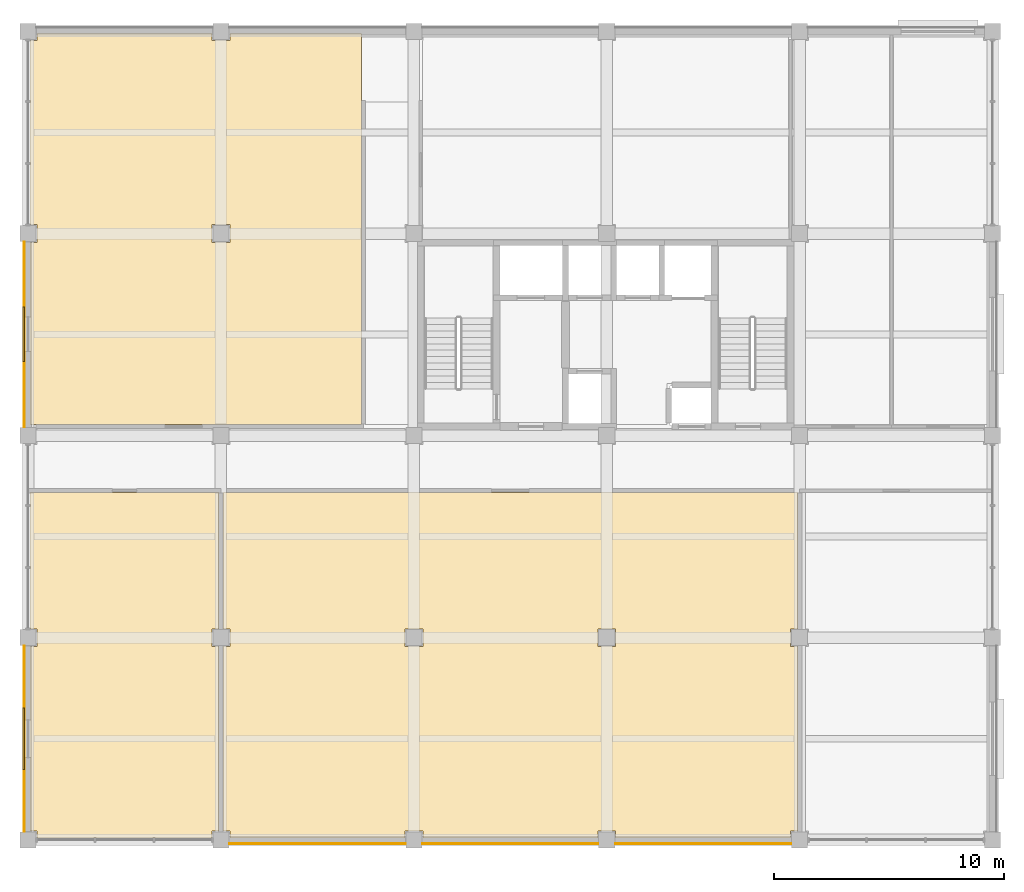
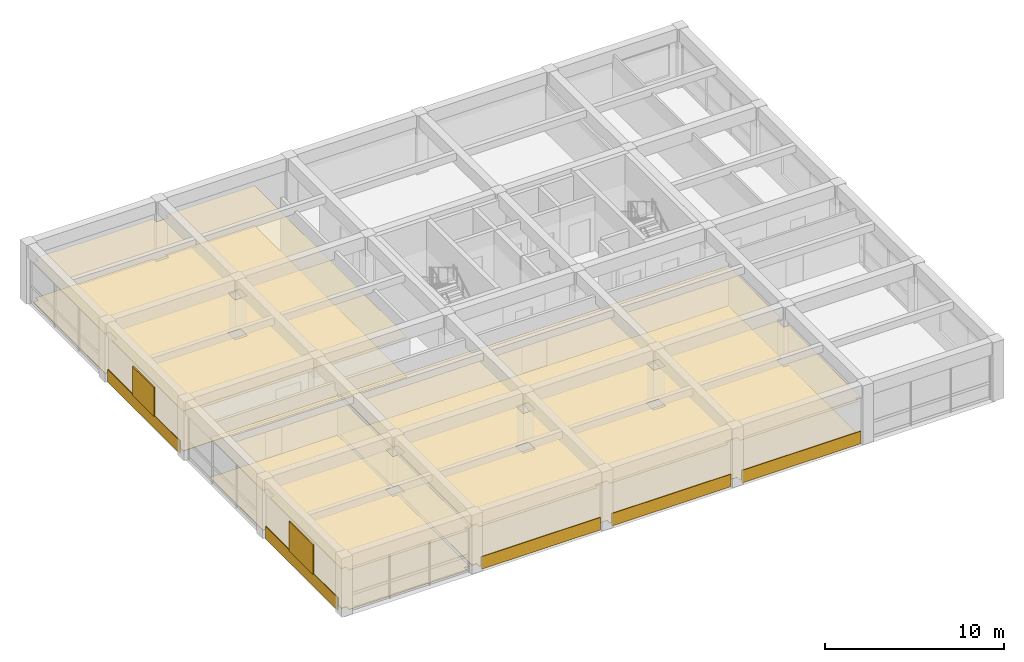
# One storey, part 10 of 14: 11 coverings, 2 shading devices.
"""IFC4 building model written with IfcOpenShell, lengths in metres."""

from ifc_helpers import new_model, si_unit, direction, frame, origin, origin_2d, place, context, subcontext, project, spatial, polyline, rectangle, outline, extrude, material, layer, layer_set, type_object, element, save


model = new_model("IFC4")

# Units and contexts
model_context = context("Model", 3, precision=1e-05, world=origin(), true_north=direction((0.0, 1.0)))
body_context = subcontext(model_context, "Body", "Model", "MODEL_VIEW")
ifc_project = project(units=[si_unit("LENGTHUNIT", "METRE"), si_unit("AREAUNIT", "SQUARE_METRE"), si_unit("VOLUMEUNIT", "CUBIC_METRE"), si_unit("PLANEANGLEUNIT", "RADIAN"), si_unit("MASSUNIT", "GRAM", prefix="KILO")], contexts=[model_context])

# Site, building, storey
site_placement = place(None, origin())
site = spatial("IfcSite", under=ifc_project, at=site_placement, CompositionType="ELEMENT")
building_placement = place(site_placement, origin())
building = spatial("IfcBuilding", under=site, at=building_placement, Name="Kemercrest Conservatory and Botanical Centre", CompositionType="ELEMENT")
storey_placement = place(building_placement, frame((0.0, 0.0, 28.800048828125)))
storey = spatial("IfcBuildingStorey", under=building, at=storey_placement, Name="L07", CompositionType="ELEMENT", Elevation=28.800048828125)

# Coverings
ifc_material_1 = material(Name="Honed limestone almasik ashlar rainscreen", Category="masonry")
ifc_layer_1 = layer(ifc_material_1, 0.0400390625)
ifc_layer_set_1 = layer_set([ifc_layer_1], Name="Honed limestone almasik ashlar rainscreen")
covering_type_1 = type_object("IfcCoveringType", Name="CV-CLD040", PredefinedType="CLADDING", material=ifc_layer_set_1)
covering_1_placement = place(storey_placement, origin())
element("IfcCovering", 1, at=covering_1_placement, inside=storey, type_object=covering_type_1, Name="Exterior stone spandrel cladding (WAL:L07:EXT-262)", PredefinedType="CLADDING", context=body_context, shape_type="SweptSolid", body=[
    extrude(outline(polyline([(142.760009765625, 87.050048828125), (142.760009765625, 87.010009765625), (150.43994140625, 87.010009765625), (150.43994140625, 87.050048828125), (142.760009765625, 87.050048828125)])), origin(), (0.0, 0.0, 1.0), 0.849853515625),
])
covering_2_placement = place(storey_placement, origin())
element("IfcCovering", 2, at=covering_2_placement, inside=storey, type_object=covering_type_1, Name="Exterior stone spandrel cladding (WAL:L07:EXT-263)", PredefinedType="CLADDING", context=body_context, shape_type="SweptSolid", body=[
    extrude(outline(polyline([(151.159912109375, 87.050048828125), (151.159912109375, 87.010009765625), (158.840087890625, 87.010009765625), (158.840087890625, 87.050048828125), (151.159912109375, 87.050048828125)])), origin(), (0.0, 0.0, 1.0), 0.849853515625),
])
covering_3_placement = place(storey_placement, origin())
element("IfcCovering", 3, at=covering_3_placement, inside=storey, type_object=covering_type_1, Name="Exterior stone spandrel cladding (WAL:L07:EXT-264)", PredefinedType="CLADDING", context=body_context, shape_type="SweptSolid", body=[
    extrude(outline(polyline([(159.56005859375, 87.050048828125), (159.56005859375, 87.010009765625), (167.239990234375, 87.010009765625), (167.239990234375, 87.050048828125), (159.56005859375, 87.050048828125)])), origin(), (0.0, 0.0, 1.0), 0.849853515625),
])
covering_4_placement = place(storey_placement, origin())
element("IfcCovering", 4, at=covering_4_placement, inside=storey, type_object=covering_type_1, Name="Exterior stone spandrel cladding (WAL:L07:EXT-272)", PredefinedType="CLADDING", context=body_context, shape_type="SweptSolid", body=[
    extrude(outline(polyline([(133.85009765625, 113.239990234375), (133.81005859375, 113.239990234375), (133.81005859375, 105.159912109375), (133.85009765625, 105.159912109375), (133.85009765625, 113.239990234375)])), origin(), (0.0, 0.0, 1.0), 0.849853515625),
])
covering_5_placement = place(storey_placement, origin())
element("IfcCovering", 5, at=covering_5_placement, inside=storey, type_object=covering_type_1, Name="Exterior stone spandrel cladding (WAL:L07:EXT-273)", PredefinedType="CLADDING", context=body_context, shape_type="SweptSolid", body=[
    extrude(outline(polyline([(133.85009765625, 95.639892578125), (133.81005859375, 95.639892578125), (133.81005859375, 87.56005859375), (133.85009765625, 87.56005859375), (133.85009765625, 95.639892578125)])), origin(), (0.0, 0.0, 1.0), 0.849853515625),
])
ifc_material_2 = material(Name="Perforated acoustic gypsum and mineral-fibre suspended ceiling", Category="gypsum")
ifc_layer_2 = layer(ifc_material_2, 0.034912109375)
ifc_layer_set_2 = layer_set([ifc_layer_2], Name="Perforated acoustic gypsum and mineral-fibre suspended ceiling")
covering_type_2 = type_object("IfcCoveringType", Name="CV-CLG035", PredefinedType="CEILING", material=ifc_layer_set_2)
covering_6_placement = place(storey_placement, frame((0.0, 0.0, 2.699951171875)))
element("IfcCovering", 6, at=covering_6_placement, inside=storey, type_object=covering_type_2, Name="Herbarium Compact Shelving Vault suspended acoustic ceiling", PredefinedType="CEILING", context=body_context, shape_type="SweptSolid", body=[
    extrude(outline(polyline([(158.81005859375, 87.590087890625), (159.590087890625, 87.590087890625), (159.590087890625, 87.280029296875), (167.2099609375, 87.280029296875), (167.2099609375, 87.590087890625), (167.52001953125, 87.590087890625), (167.52001953125, 95.610107421875), (167.2099609375, 95.610107421875), (167.2099609375, 96.389892578125), (167.52001953125, 96.389892578125), (167.52001953125, 102.320068359375), (142.47998046875, 102.320068359375), (142.47998046875, 96.389892578125), (142.7900390625, 96.389892578125), (142.7900390625, 95.610107421875), (142.47998046875, 95.610107421875), (142.47998046875, 87.590087890625), (142.7900390625, 87.590087890625), (142.7900390625, 87.280029296875), (150.409912109375, 87.280029296875), (150.409912109375, 87.590087890625), (151.18994140625, 87.590087890625), (151.18994140625, 87.280029296875), (158.81005859375, 87.280029296875), (158.81005859375, 87.590087890625)]), holes=[polyline([(158.81005859375, 96.389892578125), (159.590087890625, 96.389892578125), (159.590087890625, 95.610107421875), (158.81005859375, 95.610107421875), (158.81005859375, 96.389892578125)]), polyline([(150.409912109375, 96.389892578125), (151.18994140625, 96.389892578125), (151.18994140625, 95.610107421875), (150.409912109375, 95.610107421875), (150.409912109375, 96.389892578125)])]), origin(), (0.0, 0.0, 1.0), 0.034912109375),
])
covering_7_placement = place(storey_placement, frame((0.0, 0.0, 2.699951171875)))
element("IfcCovering", 7, at=covering_7_placement, inside=storey, type_object=covering_type_2, Name="Herbarium Digitization Laboratory suspended acoustic ceiling", PredefinedType="CEILING", context=body_context, shape_type="SweptSolid", body=[
    extrude(outline(polyline([(134.389892578125, 87.280029296875), (142.010009765625, 87.280029296875), (142.010009765625, 87.590087890625), (142.320068359375, 87.590087890625), (142.320068359375, 95.610107421875), (142.010009765625, 95.610107421875), (142.010009765625, 96.389892578125), (142.320068359375, 96.389892578125), (142.320068359375, 102.320068359375), (134.080078125, 102.320068359375), (134.080078125, 96.389892578125), (134.389892578125, 96.389892578125), (134.389892578125, 95.610107421875), (134.080078125, 95.610107421875), (134.080078125, 87.590087890625), (134.389892578125, 87.590087890625), (134.389892578125, 87.280029296875)])), origin(), (0.0, 0.0, 1.0), 0.034912109375),
])
covering_8_placement = place(storey_placement, frame((0.0, 0.0, 2.699951171875)))
element("IfcCovering", 8, at=covering_8_placement, inside=storey, type_object=covering_type_2, Name="Herbarium Archival Vault suspended acoustic ceiling", PredefinedType="CEILING", context=body_context, shape_type="SweptSolid", body=[
    extrude(outline(polyline([(134.389892578125, 113.2099609375), (134.080078125, 113.2099609375), (134.080078125, 105.280029296875), (148.52001953125, 105.280029296875), (148.52001953125, 122.320068359375), (142.7900390625, 122.320068359375), (142.7900390625, 122.010009765625), (142.010009765625, 122.010009765625), (142.010009765625, 122.320068359375), (134.389892578125, 122.320068359375), (134.389892578125, 122.010009765625), (134.080078125, 122.010009765625), (134.080078125, 113.989990234375), (134.389892578125, 113.989990234375), (134.389892578125, 113.2099609375)]), holes=[polyline([(142.010009765625, 113.989990234375), (142.7900390625, 113.989990234375), (142.7900390625, 113.2099609375), (142.010009765625, 113.2099609375), (142.010009765625, 113.989990234375)])]), origin(), (0.0, 0.0, 1.0), 0.034912109375),
])
ifc_material_3 = material(Name="Polished limestone terrazzo and seamless laboratory epoxy flooring", Category="masonry")
ifc_layer_3 = layer(ifc_material_3, 0.02001953125)
ifc_layer_set_3 = layer_set([ifc_layer_3], Name="Polished limestone terrazzo and seamless laboratory epoxy flooring")
covering_type_3 = type_object("IfcCoveringType", Name="CV-FLR020", PredefinedType="FLOORING", material=ifc_layer_set_3)
covering_9_placement = place(storey_placement, origin())
element("IfcCovering", 9, at=covering_9_placement, inside=storey, type_object=covering_type_3, Name="Herbarium Compact Shelving Vault floor finish", PredefinedType="FLOORING", context=body_context, shape_type="SweptSolid", body=[
    extrude(outline(polyline([(158.81005859375, 87.590087890625), (159.590087890625, 87.590087890625), (159.590087890625, 87.280029296875), (167.2099609375, 87.280029296875), (167.2099609375, 87.590087890625), (167.52001953125, 87.590087890625), (167.52001953125, 95.610107421875), (167.2099609375, 95.610107421875), (167.2099609375, 96.389892578125), (167.52001953125, 96.389892578125), (167.52001953125, 102.320068359375), (142.47998046875, 102.320068359375), (142.47998046875, 96.389892578125), (142.7900390625, 96.389892578125), (142.7900390625, 95.610107421875), (142.47998046875, 95.610107421875), (142.47998046875, 87.590087890625), (142.7900390625, 87.590087890625), (142.7900390625, 87.280029296875), (150.409912109375, 87.280029296875), (150.409912109375, 87.590087890625), (151.18994140625, 87.590087890625), (151.18994140625, 87.280029296875), (158.81005859375, 87.280029296875), (158.81005859375, 87.590087890625)]), holes=[polyline([(158.81005859375, 96.389892578125), (159.590087890625, 96.389892578125), (159.590087890625, 95.610107421875), (158.81005859375, 95.610107421875), (158.81005859375, 96.389892578125)]), polyline([(150.409912109375, 96.389892578125), (151.18994140625, 96.389892578125), (151.18994140625, 95.610107421875), (150.409912109375, 95.610107421875), (150.409912109375, 96.389892578125)])]), origin(), (0.0, 0.0, 1.0), 0.02001953125),
])
covering_10_placement = place(storey_placement, origin())
element("IfcCovering", 10, at=covering_10_placement, inside=storey, type_object=covering_type_3, Name="Herbarium Digitization Laboratory floor finish", PredefinedType="FLOORING", context=body_context, shape_type="SweptSolid", body=[
    extrude(outline(polyline([(134.389892578125, 87.280029296875), (142.010009765625, 87.280029296875), (142.010009765625, 87.590087890625), (142.320068359375, 87.590087890625), (142.320068359375, 95.610107421875), (142.010009765625, 95.610107421875), (142.010009765625, 96.389892578125), (142.320068359375, 96.389892578125), (142.320068359375, 102.320068359375), (134.080078125, 102.320068359375), (134.080078125, 96.389892578125), (134.389892578125, 96.389892578125), (134.389892578125, 95.610107421875), (134.080078125, 95.610107421875), (134.080078125, 87.590087890625), (134.389892578125, 87.590087890625), (134.389892578125, 87.280029296875)])), origin(), (0.0, 0.0, 1.0), 0.02001953125),
])
covering_11_placement = place(storey_placement, origin())
element("IfcCovering", 11, at=covering_11_placement, inside=storey, type_object=covering_type_3, Name="Herbarium Archival Vault floor finish", PredefinedType="FLOORING", context=body_context, shape_type="SweptSolid", body=[
    extrude(outline(polyline([(134.389892578125, 113.2099609375), (134.080078125, 113.2099609375), (134.080078125, 105.280029296875), (148.52001953125, 105.280029296875), (148.52001953125, 122.320068359375), (142.7900390625, 122.320068359375), (142.7900390625, 122.010009765625), (142.010009765625, 122.010009765625), (142.010009765625, 122.320068359375), (134.389892578125, 122.320068359375), (134.389892578125, 122.010009765625), (134.080078125, 122.010009765625), (134.080078125, 113.989990234375), (134.389892578125, 113.989990234375), (134.389892578125, 113.2099609375)]), holes=[polyline([(142.010009765625, 113.989990234375), (142.7900390625, 113.989990234375), (142.7900390625, 113.2099609375), (142.010009765625, 113.2099609375), (142.010009765625, 113.989990234375)])]), origin(), (0.0, 0.0, 1.0), 0.02001953125),
])

# Shading devices
ifc_material_4 = material(Name="Perforated bronze-anodized aluminium", Category="aluminium")
shading_device_type_1 = type_object("IfcShadingDeviceType", Name="SH-MS03", PredefinedType="USERDEFINED", material=ifc_material_4)
shading_device_1_placement = place(storey_placement, frame((133.81201171875, 109.219970703125, 0.820068359375), z_axis=(0.0, 0.0, 1.0), x_axis=(0.0, -1.0, 0.0)))
element("IfcShadingDevice", 12, at=shading_device_1_placement, inside=storey, type_object=shading_device_type_1, Name="Ottoman mashrabiya perforated screen SH-MS03 (WIN:L07:EXT-272)", ObjectType="MASHRABIYA SCREEN", PredefinedType="USERDEFINED", context=body_context, shape_type="SweptSolid", body=[
    extrude(rectangle(XDim=2.39990234375, YDim=0.080078125, at=origin_2d()), origin(), (0.0, 0.0, 1.0), 1.9599609375),
])
shading_device_type_2 = type_object("IfcShadingDeviceType", Name="SH-MS04", PredefinedType="USERDEFINED", material=ifc_material_4)
shading_device_2_placement = place(storey_placement, frame((133.81201171875, 91.60009765625, 0.81982421875), z_axis=(0.0, 0.0, 1.0), x_axis=(0.0, -1.0, 0.0)))
element("IfcShadingDevice", 13, at=shading_device_2_placement, inside=storey, type_object=shading_device_type_2, Name="Ottoman mashrabiya perforated screen SH-MS04 (WIN:L07:EXT-273)", ObjectType="MASHRABIYA SCREEN", PredefinedType="USERDEFINED", context=body_context, shape_type="SweptSolid", body=[
    extrude(rectangle(XDim=2.699951171875, YDim=0.080078125, at=origin_2d()), origin(), (0.0, 0.0, 1.0), 2.010009765625),
])

save(model, "model.ifc")
